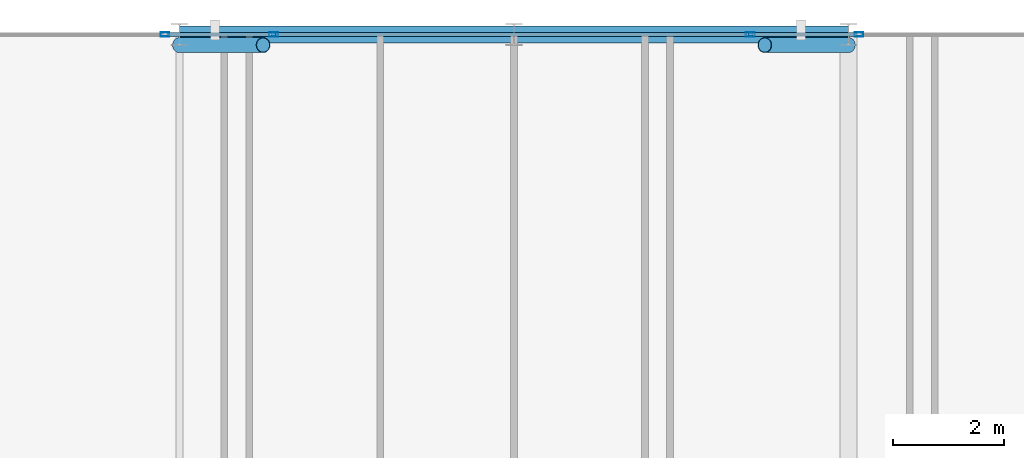
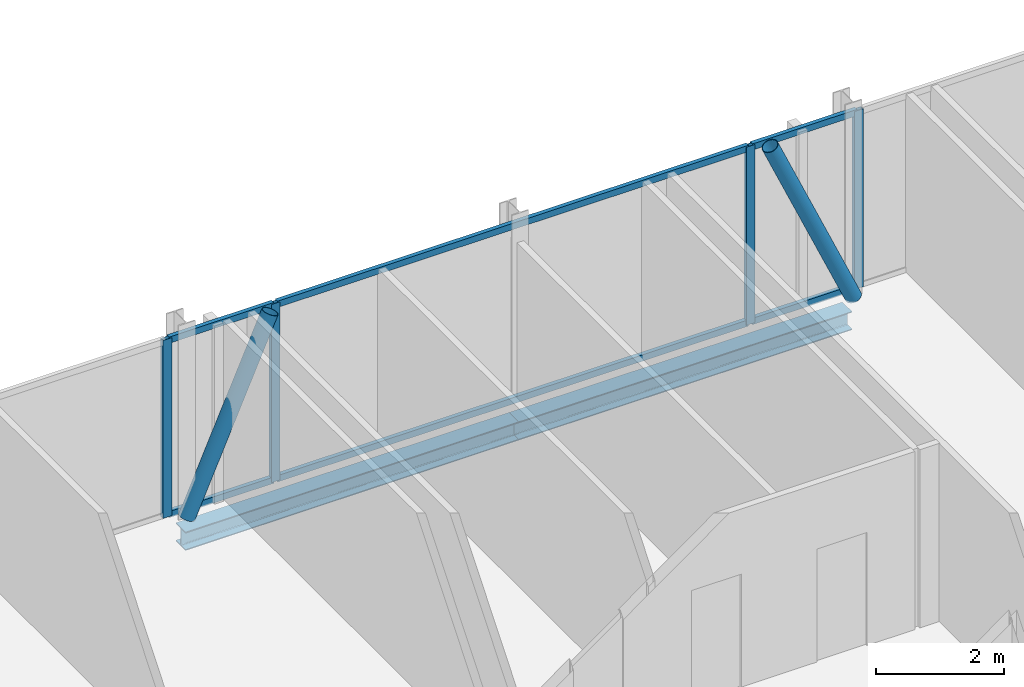
# One storey, part 17 of 28: 12 members, 2 beams, 4 elements without a shape of their own.
"""IFC4 building model written with IfcOpenShell, lengths in metres."""

from ifc_helpers import new_model, si_unit, direction, frame, origin, origin_2d, place, context, subcontext, project, spatial, hollow_rectangle, hollow_circle, i_section, extrude, material, layer, layer_set, material_profile, profile_set, type_object, element, aggregate, save


model = new_model("IFC4")

# Units and contexts
model_context = context("Model", 3, precision=1e-05, world=origin(), true_north=direction((0.0, 1.0)))
body_context = subcontext(model_context, "Body", "Model", "MODEL_VIEW")
ifc_project = project(units=[si_unit("LENGTHUNIT", "METRE"), si_unit("AREAUNIT", "SQUARE_METRE"), si_unit("VOLUMEUNIT", "CUBIC_METRE"), si_unit("PLANEANGLEUNIT", "RADIAN"), si_unit("MASSUNIT", "GRAM", prefix="KILO")], contexts=[model_context])

# Site, building, storey
site_placement = place(None, origin())
site = spatial("IfcSite", under=ifc_project, at=site_placement, CompositionType="ELEMENT")
building_placement = place(site_placement, origin())
building = spatial("IfcBuilding", under=site, at=building_placement, Name="Keshet Zoharim Tower", CompositionType="ELEMENT")
storey_placement = place(building_placement, frame((0.0, 0.0, 265.800048828125)))
storey = spatial("IfcBuildingStorey", under=building, at=storey_placement, Name="L66", CompositionType="ELEMENT", Elevation=265.800048828125)

# Beams
ifc_material_1 = material(Name="Steel S355", Category="steel")
ifc_material_profile_1 = material_profile(ifc_material_1, i_section(OverallWidth=0.300048828125, OverallDepth=0.35009765625, WebThickness=0.010009765625, FlangeThickness=0.017578125, FilletRadius=0.027099609375, at=origin_2d()), Name="HEA360")
ifc_profile_set_1 = profile_set([ifc_material_profile_1], Name="Steel S355")
beam_type = type_object("IfcBeamType", Name="BM-PRI-HA360", PredefinedType="BEAM", material=ifc_profile_set_1)
for number, where, z_axis, x_axis, name in (
    (1, (21.0, 53.89990234375, -0.485107421875), (1.0, 0.0, 0.0), (0.0, 1.0, 0.0), "L66 Primary Girder X-010"),
    (2, (27.0, 53.89990234375, -0.485107421875), (1.0, 0.0, 0.0), (0.0, 1.0, 0.0), "L66 Primary Girder X-011"),
):
    element("IfcBeam", number, at=place(storey_placement, frame(where, z_axis=z_axis, x_axis=x_axis)), inside=storey, type_object=beam_type, Name=name, PredefinedType="BEAM", context=body_context, shape_type="SweptSolid", body=[
        extrude(i_section(OverallWidth=0.300048828125, OverallDepth=0.35009765625, WebThickness=0.010009765625, FlangeThickness=0.017578125, FilletRadius=0.027099609375, at=origin_2d()), origin(), (0.0, 0.0, 1.0), 6.0),
    ])

# Curtain wall, member
ifc_material_2 = material(Name="Aluminium 6063-T6", Category="aluminium")
ifc_layer = layer(ifc_material_2, 0.260009765625)
ifc_layer_set = layer_set([ifc_layer], Name="Aluminium 6063-T6")
curtain_wall_type = type_object("IfcCurtainWallType", Name="CW-SYS-06", PredefinedType="NOTDEFINED", material=ifc_layer_set)
curtain_wall_1_placement = place(storey_placement, origin())
curtain_wall_1 = element("IfcCurtainWall", 3, at=curtain_wall_1_placement, inside=storey, type_object=curtain_wall_type, Name="L66 Unitised Curtain Wall 06", PredefinedType="NOTDEFINED")
ifc_material_profile_2 = material_profile(ifc_material_2, hollow_rectangle(XDim=0.074951171875, YDim=0.159912109375, WallThickness=0.00390625, at=origin_2d()), Name="MUL-75x160")
ifc_profile_set_2 = profile_set([ifc_material_profile_2], Name="Aluminium 6063-T6")
member_type_1 = type_object("IfcMemberType", Name="CWM-M15", PredefinedType="MULLION", material=ifc_profile_set_2)
member_1_placement = place(storey_placement, frame((20.740234375, 53.89990234375, 0.0), z_axis=(0.0, 0.0, 1.0), x_axis=(0.0, 1.0, 0.0)))
member_1 = element("IfcMember", 4, at=member_1_placement, type_object=member_type_1, Name="CW-06 mullion 2", PredefinedType="MULLION", context=body_context, shape_type="SweptSolid", body=[
    extrude(hollow_rectangle(XDim=0.074951171875, YDim=0.159912109375, WallThickness=0.00390625, at=origin_2d()), origin(), (0.0, 0.0, 1.0), 3.389892578125),
])
aggregate(curtain_wall_1, [member_1])

curtain_wall_2_placement = place(storey_placement, origin())
curtain_wall_2 = element("IfcCurtainWall", 5, at=curtain_wall_2_placement, inside=storey, type_object=curtain_wall_type, Name="L66 Unitised Curtain Wall 06 Part 2", PredefinedType="NOTDEFINED")
member_2_placement = place(storey_placement, frame((22.689697265625, 53.89990234375, 0.0), z_axis=(0.0, 0.0, 1.0), x_axis=(0.0, 1.0, 0.0)))
member_2 = element("IfcMember", 6, at=member_2_placement, type_object=member_type_1, Name="CW-06 mullion 2", PredefinedType="MULLION", context=body_context, shape_type="SweptSolid", body=[
    extrude(hollow_rectangle(XDim=0.074951171875, YDim=0.159912109375, WallThickness=0.00390625, at=origin_2d()), origin(), (0.0, 0.0, 1.0), 3.389892578125),
])

curtain_wall_3_placement = place(storey_placement, origin())
curtain_wall_3 = element("IfcCurtainWall", 7, at=curtain_wall_3_placement, inside=storey, type_object=curtain_wall_type, Name="L66 Unitised Curtain Wall 06 Part 3", PredefinedType="NOTDEFINED")
member_3_placement = place(storey_placement, frame((31.240234375, 53.89990234375, 0.0), z_axis=(0.0, 0.0, 1.0), x_axis=(0.0, 1.0, 0.0)))
member_3 = element("IfcMember", 8, at=member_3_placement, type_object=member_type_1, Name="CW-06 mullion 2", PredefinedType="MULLION", context=body_context, shape_type="SweptSolid", body=[
    extrude(hollow_rectangle(XDim=0.074951171875, YDim=0.159912109375, WallThickness=0.00390625, at=origin_2d()), origin(), (0.0, 0.0, 1.0), 3.389892578125),
])

curtain_wall_4_placement = place(storey_placement, origin())
curtain_wall_4 = element("IfcCurtainWall", 9, at=curtain_wall_4_placement, inside=storey, type_object=curtain_wall_type, Name="L66 Unitised Curtain Wall 06 Part 4", PredefinedType="NOTDEFINED")
member_4_placement = place(storey_placement, frame((33.189697265625, 53.89990234375, 0.0), z_axis=(0.0, 0.0, 1.0), x_axis=(0.0, 1.0, 0.0)))
member_4 = element("IfcMember", 10, at=member_4_placement, type_object=member_type_1, Name="CW-06 mullion 2", PredefinedType="MULLION", context=body_context, shape_type="SweptSolid", body=[
    extrude(hollow_rectangle(XDim=0.074951171875, YDim=0.159912109375, WallThickness=0.00390625, at=origin_2d()), origin(), (0.0, 0.0, 1.0), 3.389892578125),
])

# Member
ifc_material_profile_3 = material_profile(ifc_material_2, hollow_rectangle(XDim=0.074951171875, YDim=0.1201171875, WallThickness=0.00390625, at=origin_2d()), Name="TRN-75x120")
ifc_profile_set_3 = profile_set([ifc_material_profile_3], Name="Aluminium 6063-T6")
member_type_2 = type_object("IfcMemberType", Name="CWT-T12", PredefinedType="USERDEFINED", material=ifc_profile_set_3)
member_5_placement = place(storey_placement, frame((20.775146484375, 53.89990234375, 0.034912109375), z_axis=(1.0, 0.0, 0.0), x_axis=(0.0, 1.0, 0.0)))
member_5 = element("IfcMember", 11, at=member_5_placement, type_object=member_type_2, Name="CW-06 transom 1.1", ObjectType="TRANSOM", PredefinedType="USERDEFINED", context=body_context, shape_type="SweptSolid", body=[
    extrude(hollow_rectangle(XDim=0.074951171875, YDim=0.1201171875, WallThickness=0.00390625, at=origin_2d()), origin(), (0.0, 0.0, 1.0), 1.879638671875),
])

member_6_placement = place(storey_placement, frame((20.775146484375, 53.89990234375, 3.35498046875), z_axis=(1.0, 0.0, 0.0), x_axis=(0.0, 1.0, 0.0)))
member_6 = element("IfcMember", 12, at=member_6_placement, type_object=member_type_2, Name="CW-06 transom 1.2", ObjectType="TRANSOM", PredefinedType="USERDEFINED", context=body_context, shape_type="SweptSolid", body=[
    extrude(hollow_rectangle(XDim=0.074951171875, YDim=0.1201171875, WallThickness=0.00390625, at=origin_2d()), origin(), (0.0, 0.0, 1.0), 1.879638671875),
])

aggregate(curtain_wall_2, [member_2, member_5, member_6])

member_7_placement = place(storey_placement, frame((22.724853515625, 53.89990234375, 0.034912109375), z_axis=(1.0, 0.0, 0.0), x_axis=(0.0, 1.0, 0.0)))
member_7 = element("IfcMember", 13, at=member_7_placement, type_object=member_type_2, Name="CW-06 transom 1.1", ObjectType="TRANSOM", PredefinedType="USERDEFINED", context=body_context, shape_type="SweptSolid", body=[
    extrude(hollow_rectangle(XDim=0.074951171875, YDim=0.1201171875, WallThickness=0.00390625, at=origin_2d()), origin(), (0.0, 0.0, 1.0), 8.480224609375),
])

member_8_placement = place(storey_placement, frame((22.724853515625, 53.89990234375, 3.35498046875), z_axis=(1.0, 0.0, 0.0), x_axis=(0.0, 1.0, 0.0)))
member_8 = element("IfcMember", 14, at=member_8_placement, type_object=member_type_2, Name="CW-06 transom 1.2", ObjectType="TRANSOM", PredefinedType="USERDEFINED", context=body_context, shape_type="SweptSolid", body=[
    extrude(hollow_rectangle(XDim=0.074951171875, YDim=0.1201171875, WallThickness=0.00390625, at=origin_2d()), origin(), (0.0, 0.0, 1.0), 8.480224609375),
])

aggregate(curtain_wall_3, [member_3, member_7, member_8])

member_9_placement = place(storey_placement, frame((31.275146484375, 53.89990234375, 0.034912109375), z_axis=(1.0, 0.0, 0.0), x_axis=(0.0, 1.0, 0.0)))
member_9 = element("IfcMember", 15, at=member_9_placement, type_object=member_type_2, Name="CW-06 transom 1.1", ObjectType="TRANSOM", PredefinedType="USERDEFINED", context=body_context, shape_type="SweptSolid", body=[
    extrude(hollow_rectangle(XDim=0.074951171875, YDim=0.1201171875, WallThickness=0.00390625, at=origin_2d()), origin(), (0.0, 0.0, 1.0), 1.879638671875),
])

member_10_placement = place(storey_placement, frame((31.275146484375, 53.89990234375, 3.35498046875), z_axis=(1.0, 0.0, 0.0), x_axis=(0.0, 1.0, 0.0)))
member_10 = element("IfcMember", 16, at=member_10_placement, type_object=member_type_2, Name="CW-06 transom 1.2", ObjectType="TRANSOM", PredefinedType="USERDEFINED", context=body_context, shape_type="SweptSolid", body=[
    extrude(hollow_rectangle(XDim=0.074951171875, YDim=0.1201171875, WallThickness=0.00390625, at=origin_2d()), origin(), (0.0, 0.0, 1.0), 1.879638671875),
])

aggregate(curtain_wall_4, [member_4, member_9, member_10])

# Members
ifc_material_profile_4 = material_profile(ifc_material_1, hollow_circle(Radius=0.136474609375, WallThickness=0.010009765625, at=origin_2d()), Name="CHS273x10")
ifc_profile_set_4 = profile_set([ifc_material_profile_4], Name="Steel S355")
member_type_3 = type_object("IfcMemberType", Name="MB-BR-C273", PredefinedType="BRACE", material=ifc_profile_set_4)
for number, where, z_axis, x_axis, name in (
    (17, (21.0, 53.7099609375, 0.0), (0.40464689807, 0.0, 0.914473011019), (0.0, 1.0, 0.0), "L66 Perimeter Tube Brace 03"),
    (18, (33.0, 53.7099609375, 0.0), (-0.40464689807, 0.0, 0.914473011019), (0.0, -1.0, 0.0), "L66 Perimeter Tube Brace 04"),
):
    element("IfcMember", number, at=place(storey_placement, frame(where, z_axis=z_axis, x_axis=x_axis)), inside=storey, type_object=member_type_3, Name=name, PredefinedType="BRACE", context=body_context, shape_type="SweptSolid", body=[
        extrude(hollow_circle(Radius=0.136474609375, WallThickness=0.010009765625, at=origin_2d()), origin(), (0.0, 0.0, 1.0), 3.70703125),
    ])

save(model, "model.ifc")
